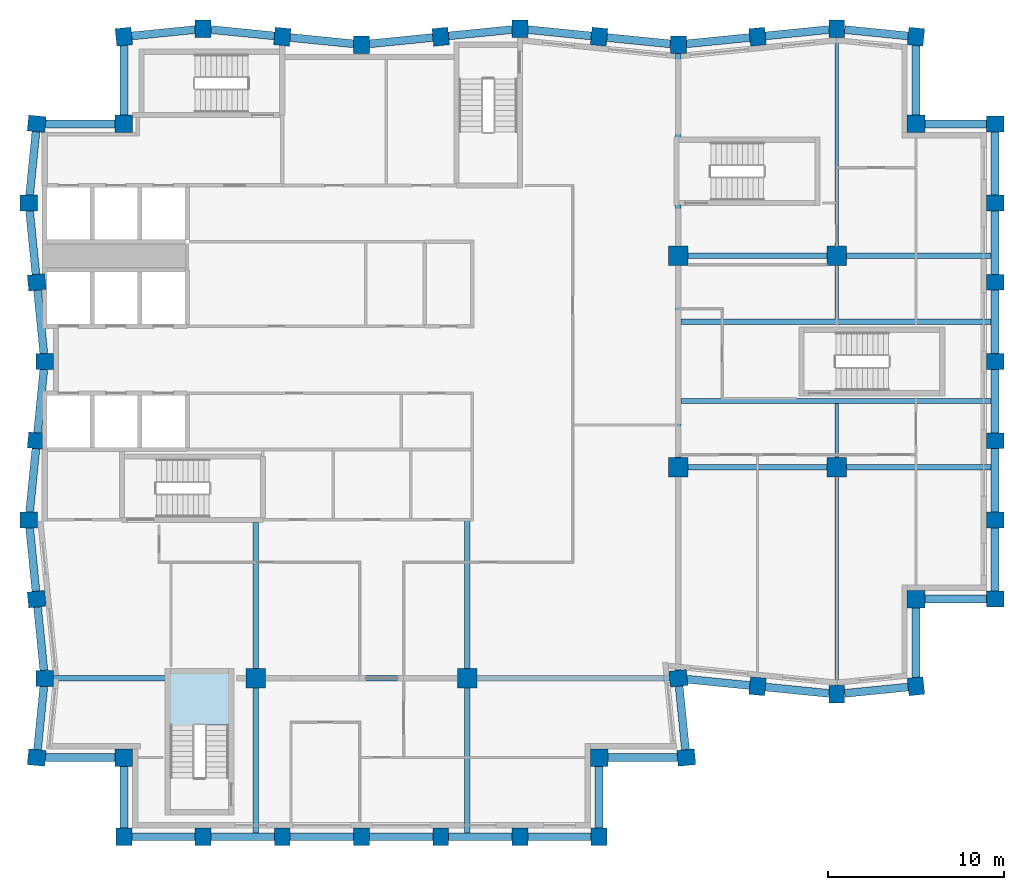
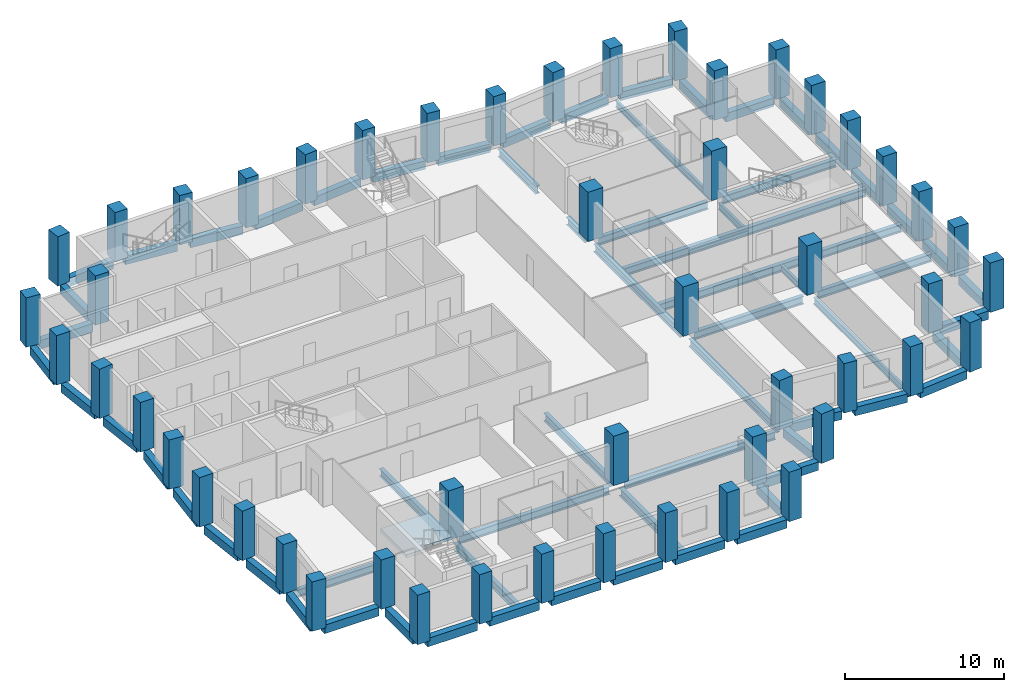
# One storey, part 1 of 8: 65 beams, 50 columns, 1 slab, 1 element without a shape of its own.
"""IFC4 building model written with IfcOpenShell, lengths in metres."""

from ifc_helpers import new_model, si_unit, direction, frame, origin, origin_2d, place, context, subcontext, project, spatial, polyline, rectangle, i_section, outline, extrude, material, layer, layer_set, material_profile, profile_set, type_object, element, aggregate, save


model = new_model("IFC4")

# Units and contexts
model_context = context("Model", 3, precision=1e-05, world=origin(), true_north=direction((0.0, 1.0)))
body_context = subcontext(model_context, "Body", "Model", "MODEL_VIEW")
ifc_project = project(units=[si_unit("LENGTHUNIT", "METRE"), si_unit("AREAUNIT", "SQUARE_METRE"), si_unit("VOLUMEUNIT", "CUBIC_METRE"), si_unit("PLANEANGLEUNIT", "RADIAN"), si_unit("MASSUNIT", "GRAM", prefix="KILO")], contexts=[model_context])

# Site, building, storey
site_placement = place(None, origin())
site = spatial("IfcSite", under=ifc_project, at=site_placement, CompositionType="ELEMENT")
building_placement = place(site_placement, origin())
building = spatial("IfcBuilding", under=site, at=building_placement, Name="Brondeck Convention Tower", CompositionType="ELEMENT")
storey_placement = place(building_placement, frame((0.0, 0.0, 210.199951171875)))
storey = spatial("IfcBuildingStorey", under=building, at=storey_placement, Name="L51", CompositionType="ELEMENT", Elevation=210.199951171875)

# Columns
ifc_material_1 = material(Name="Concrete C50/60", Category="concrete")
ifc_material_profile_1 = material_profile(ifc_material_1, rectangle(XDim=1.0, YDim=1.0, at=origin_2d()), Name="Corner column 1000x1000 Concrete C50/60")
ifc_profile_set_1 = profile_set([ifc_material_profile_1], Name="Concrete C50/60")
column_type_1 = type_object("IfcColumnType", Name="Corner column 1000x1000 Concrete C50/60", PredefinedType="COLUMN", material=ifc_profile_set_1)
for number, where, z_axis, x_axis, name in (
    (1, (4.5, 22.5, 0.0), (0.0, 0.0, 1.0), (1.0, 0.0, 0.0), "STR-COL-L51-NC-SWB18"),
    (2, (31.5, 22.5, 0.0), (0.0, 0.0, 1.0), (1.0, 0.0, 0.0), "STR-COL-L51-NC-SEB18"),
    (3, (49.5, 31.5, 0.0), (0.0, 0.0, 1.0), (1.0, 0.0, 0.0), "STR-COL-L51-NC-SEA54"),
    (4, (49.5, 58.5, 0.0), (0.0, 0.0, 1.0), (1.0, 0.0, 0.0), "STR-COL-L51-NC-NEA54"),
    (5, (4.5, 58.5, 0.0), (0.0, 0.0, 1.0), (1.0, 0.0, 0.0), "STR-COL-L51-NC-NW"),
):
    element("IfcColumn", number, at=place(storey_placement, frame(where, z_axis=z_axis, x_axis=x_axis)), inside=storey, type_object=column_type_1, Name=name, PredefinedType="COLUMN", context=body_context, shape_type="SweptSolid", body=[
        extrude(rectangle(XDim=1.0, YDim=1.0, at=origin_2d()), origin(), (0.0, 0.0, 1.0), 3.800048828125),
    ])
ifc_material_profile_2 = material_profile(ifc_material_1, rectangle(XDim=1.10009765625, YDim=1.10009765625, at=origin_2d()), Name="Interior column 1100x1100 Concrete C50/60")
ifc_profile_set_2 = profile_set([ifc_material_profile_2], Name="Concrete C50/60")
column_type_2 = type_object("IfcColumnType", Name="Interior column 1100x1100 Concrete C50/60", PredefinedType="COLUMN", material=ifc_profile_set_2)
for number, where, z_axis, x_axis, name in (
    (6, (12.0, 27.0, 0.0), (0.0, 0.0, 1.0), (1.0, 0.0, 0.0), "STR-COL-L51-IC-03"),
    (7, (24.0, 27.0, 0.0), (0.0, 0.0, 1.0), (1.0, 0.0, 0.0), "STR-COL-L51-IC-06"),
    (8, (36.0, 39.0, 0.0), (0.0, 0.0, 1.0), (1.0, 0.0, 0.0), "STR-COL-L51-IC-07"),
    (9, (36.0, 51.0, 0.0), (0.0, 0.0, 1.0), (1.0, 0.0, 0.0), "STR-COL-L51-IC-08"),
    (10, (45.0, 39.0, 0.0), (0.0, 0.0, 1.0), (1.0, 0.0, 0.0), "STR-COL-L51-IC-09"),
    (11, (45.0, 51.0, 0.0), (0.0, 0.0, 1.0), (1.0, 0.0, 0.0), "STR-COL-L51-IC-10"),
):
    element("IfcColumn", number, at=place(storey_placement, frame(where, z_axis=z_axis, x_axis=x_axis)), inside=storey, type_object=column_type_2, Name=name, PredefinedType="COLUMN", context=body_context, shape_type="SweptSolid", body=[
        extrude(rectangle(XDim=1.10009765625, YDim=1.10009765625, at=origin_2d()), origin(), (0.0, 0.0, 1.0), 3.800048828125),
    ])
ifc_material_profile_3 = material_profile(ifc_material_1, rectangle(XDim=0.89990234375, YDim=1.0, at=origin_2d()), Name="Perimeter pier 900x1000 Concrete C50/60")
ifc_profile_set_3 = profile_set([ifc_material_profile_3], Name="Concrete C50/60")
column_type_3 = type_object("IfcColumnType", Name="Perimeter pier 900x1000 Concrete C50/60", PredefinedType="COLUMN", material=ifc_profile_set_3)
for number, where, z_axis, x_axis, name in (
    (12, (4.5, 18.0, 0.0), (0.0, 0.0, 1.0), (1.0, 0.0, 0.0), "STR-COL-L51-PC-B-S18-01"),
    (13, (9.0, 18.0, 0.0), (0.0, 0.0, 1.0), (1.0, 0.0, 0.0), "STR-COL-L51-PC-B-S18-02"),
    (14, (13.5, 18.0, 0.0), (0.0, 0.0, 1.0), (1.0, 0.0, 0.0), "STR-COL-L51-PC-B-S18-03"),
    (15, (18.0, 18.0, 0.0), (0.0, 0.0, 1.0), (1.0, 0.0, 0.0), "STR-COL-L51-PC-B-S18-04"),
    (16, (22.5, 18.0, 0.0), (0.0, 0.0, 1.0), (1.0, 0.0, 0.0), "STR-COL-L51-PC-B-S18-05"),
    (17, (27.0, 18.0, 0.0), (0.0, 0.0, 1.0), (1.0, 0.0, 0.0), "STR-COL-L51-PC-B-S18-06"),
    (18, (31.5, 18.0, 0.0), (0.0, 0.0, 1.0), (1.0, 0.0, 0.0), "STR-COL-L51-PC-B-S18-07"),
    (19, (36.449951171875, 22.5, 0.0), (0.0, 0.0, 1.0), (-0.0995038382, 0.995037178292, 0.0), "STR-COL-L51-PC-B-E-01"),
    (20, (36.0, 27.0, 0.0), (0.0, 0.0, 1.0), (-0.0995038382, 0.995037178292, 0.0), "STR-COL-L51-PC-B-E-00"),
    (21, (40.5, 26.550048828125, 0.0), (0.0, 0.0, 1.0), (0.995037178292, -0.0995038382, 0.0), "STR-COL-L51-PC-A-S-01"),
    (22, (45.0, 26.10009765625, 0.0), (0.0, 0.0, 1.0), (1.0, 0.0, 0.0), "STR-COL-L51-PC-A-S-02"),
    (23, (49.5, 26.550048828125, 0.0), (0.0, 0.0, 1.0), (0.995037178292, 0.0995038382, 0.0), "STR-COL-L51-PC-A-S-03"),
    (24, (54.0, 31.5, 0.0), (0.0, 0.0, 1.0), (0.0, 1.0, 0.0), "STR-COL-L51-PC-A-E54-01"),
    (25, (54.0, 36.0, 0.0), (0.0, 0.0, 1.0), (0.0, 1.0, 0.0), "STR-COL-L51-PC-A-E54-02"),
    (26, (54.0, 40.5, 0.0), (0.0, 0.0, 1.0), (0.0, 1.0, 0.0), "STR-COL-L51-PC-A-E54-03"),
    (27, (54.0, 45.0, 0.0), (0.0, 0.0, 1.0), (0.0, 1.0, 0.0), "STR-COL-L51-PC-A-E54-04"),
    (28, (54.0, 49.5, 0.0), (0.0, 0.0, 1.0), (0.0, 1.0, 0.0), "STR-COL-L51-PC-A-E54-05"),
    (29, (54.0, 54.0, 0.0), (0.0, 0.0, 1.0), (0.0, 1.0, 0.0), "STR-COL-L51-PC-A-E54-06"),
    (30, (54.0, 58.5, 0.0), (0.0, 0.0, 1.0), (0.0, 1.0, 0.0), "STR-COL-L51-PC-A-E54-07"),
    (31, (49.5, 63.449951171875, 0.0), (0.0, 0.0, 1.0), (-0.995037178292, 0.0995038382, 0.0), "STR-COL-L51-PC-A-N-11"),
    (32, (45.0, 63.89990234375, 0.0), (0.0, 0.0, 1.0), (-1.0, 0.0, 0.0), "STR-COL-L51-PC-A-N-10"),
    (33, (40.5, 63.449951171875, 0.0), (0.0, 0.0, 1.0), (-0.995037178292, -0.0995038382, 0.0), "STR-COL-L51-PC-A-N-09"),
    (34, (36.0, 63.0, 0.0), (0.0, 0.0, 1.0), (-1.0, 0.0, 0.0), "STR-COL-L51-PC-A-N-08"),
    (35, (31.5, 63.449951171875, 0.0), (0.0, 0.0, 1.0), (-0.995037178292, 0.0995038382, 0.0), "STR-COL-L51-PC-A-N-07"),
    (36, (27.0, 63.89990234375, 0.0), (0.0, 0.0, 1.0), (-1.0, 0.0, 0.0), "STR-COL-L51-PC-A-N-06"),
    (37, (22.5, 63.449951171875, 0.0), (0.0, 0.0, 1.0), (-0.995037178292, -0.0995038382, 0.0), "STR-COL-L51-PC-A-N-05"),
    (38, (18.0, 63.0, 0.0), (0.0, 0.0, 1.0), (-1.0, 0.0, 0.0), "STR-COL-L51-PC-A-N-04"),
    (39, (13.5, 63.449951171875, 0.0), (0.0, 0.0, 1.0), (-0.995037178292, 0.0995038382, 0.0), "STR-COL-L51-PC-A-N-03"),
    (40, (9.0, 63.89990234375, 0.0), (0.0, 0.0, 1.0), (-1.0, 0.0, 0.0), "STR-COL-L51-PC-A-N-02"),
    (41, (4.5, 63.449951171875, 0.0), (0.0, 0.0, 1.0), (-0.995037178292, -0.0995038382, 0.0), "STR-COL-L51-PC-A-N-01"),
    (42, (-0.449951171875, 58.5, 0.0), (0.0, 0.0, 1.0), (-0.0995038382, -0.995037178292, 0.0), "STR-COL-L51-PC-B-W-01"),
    (43, (-0.89990234375, 54.0, 0.0), (0.0, 0.0, 1.0), (0.0, -1.0, 0.0), "STR-COL-L51-PC-B-W-02"),
    (44, (-0.449951171875, 49.5, 0.0), (0.0, 0.0, 1.0), (0.0995038382, -0.995037178292, 0.0), "STR-COL-L51-PC-B-W-03"),
    (45, (0.0, 45.0, 0.0), (0.0, 0.0, 1.0), (0.0, -1.0, 0.0), "STR-COL-L51-PC-B-W-04"),
    (46, (-0.449951171875, 40.5, 0.0), (0.0, 0.0, 1.0), (-0.0995038382, -0.995037178292, 0.0), "STR-COL-L51-PC-B-W-05"),
    (47, (-0.89990234375, 36.0, 0.0), (0.0, 0.0, 1.0), (0.0, -1.0, 0.0), "STR-COL-L51-PC-B-W-06"),
    (48, (-0.449951171875, 31.5, 0.0), (0.0, 0.0, 1.0), (0.0995038382, -0.995037178292, 0.0), "STR-COL-L51-PC-B-W-07"),
    (49, (0.0, 27.0, 0.0), (0.0, 0.0, 1.0), (0.0, -1.0, 0.0), "STR-COL-L51-PC-B-W-08"),
    (50, (-0.449951171875, 22.5, 0.0), (0.0, 0.0, 1.0), (-0.0995038382, -0.995037178292, 0.0), "STR-COL-L51-PC-B-W-09"),
):
    element("IfcColumn", number, at=place(storey_placement, frame(where, z_axis=z_axis, x_axis=x_axis)), inside=storey, type_object=column_type_3, Name=name, PredefinedType="COLUMN", context=body_context, shape_type="SweptSolid", body=[
        extrude(rectangle(XDim=0.89990234375, YDim=1.0, at=origin_2d()), origin(), (0.0, 0.0, 1.0), 3.800048828125),
    ])

# Beams
ifc_material_2 = material(Name="Steel S355", Category="steel")
ifc_material_profile_4 = material_profile(ifc_material_2, i_section(OverallWidth=0.199951171875, OverallDepth=0.5, WebThickness=0.01025390625, FlangeThickness=0.01611328125, FilletRadius=0.02099609375, at=origin_2d()), Name="IPE 500")
ifc_profile_set_4 = profile_set([ifc_material_profile_4], Name="Steel S355")
beam_type_1 = type_object("IfcBeamType", Name="Floor beam IPE 500", PredefinedType="BEAM", material=ifc_profile_set_4)
for number, where, z_axis, x_axis, name in (
    (51, (45.0, 26.60009765625, -0.550048828125), (0.0, 1.0, 0.0), (-1.0, 0.0, 0.0), "STR-FB-L51-001"),
    (52, (45.0, 51.550048828125, -0.550048828125), (0.0, 1.0, 0.0), (-1.0, 0.0, 0.0), "STR-FB-L51-002"),
):
    element("IfcBeam", number, at=place(storey_placement, frame(where, z_axis=z_axis, x_axis=x_axis)), inside=storey, type_object=beam_type_1, Name=name, PredefinedType="BEAM", context=body_context, shape_type="SweptSolid", body=[
        extrude(i_section(OverallWidth=0.199951171875, OverallDepth=0.5, WebThickness=0.01025390625, FlangeThickness=0.01611328125, FilletRadius=0.02099609375, at=origin_2d()), origin(), (0.0, 0.0, 1.0), 11.849853515625),
    ])
for number, where, z_axis, x_axis, name in (
    (53, (45.0, 39.550048828125, -0.550048828125), (0.0, 1.0, 0.0), (-1.0, 0.0, 0.0), "STR-FB-L51-003"),
    (54, (45.0, 47.39990234375, -0.550048828125), (0.0, 1.0, 0.0), (-1.0, 0.0, 0.0), "STR-FB-L51-004"),
):
    element("IfcBeam", number, at=place(storey_placement, frame(where, z_axis=z_axis, x_axis=x_axis)), inside=storey, type_object=beam_type_1, Name=name, PredefinedType="BEAM", context=body_context, shape_type="SweptSolid", body=[
        extrude(i_section(OverallWidth=0.199951171875, OverallDepth=0.5, WebThickness=0.01025390625, FlangeThickness=0.01611328125, FilletRadius=0.02099609375, at=origin_2d()), origin(), (0.0, 0.0, 1.0), 3.050048828125),
    ])
ifc_material_profile_5 = material_profile(ifc_material_2, i_section(OverallWidth=0.300048828125, OverallDepth=0.60009765625, WebThickness=0.015380859375, FlangeThickness=0.030029296875, FilletRadius=0.027099609375, at=origin_2d()), Name="HEB 600")
ifc_profile_set_5 = profile_set([ifc_material_profile_5], Name="Steel S355")
beam_type_2 = type_object("IfcBeamType", Name="Girder HEB 600", PredefinedType="BEAM", material=ifc_profile_set_5)
beam_1_placement = place(storey_placement, frame((36.550048828125, 39.0, -0.599853515625), z_axis=(1.0, 0.0, 0.0), x_axis=(0.0, 1.0, 0.0)))
element("IfcBeam", 55, at=beam_1_placement, inside=storey, type_object=beam_type_2, Name="STR-GR-L51-001", PredefinedType="BEAM", context=body_context, shape_type="SweptSolid", body=[
    extrude(i_section(OverallWidth=0.300048828125, OverallDepth=0.60009765625, WebThickness=0.015380859375, FlangeThickness=0.030029296875, FilletRadius=0.027099609375, at=origin_2d()), origin(), (0.0, 0.0, 1.0), 7.89990234375),
])
beam_2_placement = place(storey_placement, frame((45.550048828125, 39.0, -0.599853515625), z_axis=(1.0, 0.0, 0.0), x_axis=(0.0, 1.0, 0.0)))
element("IfcBeam", 56, at=beam_2_placement, inside=storey, type_object=beam_type_2, Name="STR-GR-L51-002", PredefinedType="BEAM", context=body_context, shape_type="SweptSolid", body=[
    extrude(i_section(OverallWidth=0.300048828125, OverallDepth=0.60009765625, WebThickness=0.015380859375, FlangeThickness=0.030029296875, FilletRadius=0.027099609375, at=origin_2d()), origin(), (0.0, 0.0, 1.0), 8.224853515625),
])
beam_3_placement = place(storey_placement, frame((36.550048828125, 51.0, -0.599853515625), z_axis=(1.0, 0.0, 0.0), x_axis=(0.0, 1.0, 0.0)))
element("IfcBeam", 57, at=beam_3_placement, inside=storey, type_object=beam_type_2, Name="STR-GR-L51-003", PredefinedType="BEAM", context=body_context, shape_type="SweptSolid", body=[
    extrude(i_section(OverallWidth=0.300048828125, OverallDepth=0.60009765625, WebThickness=0.015380859375, FlangeThickness=0.030029296875, FilletRadius=0.027099609375, at=origin_2d()), origin(), (0.0, 0.0, 1.0), 7.89990234375),
])
beam_4_placement = place(storey_placement, frame((45.550048828125, 51.0, -0.599853515625), z_axis=(1.0, 0.0, 0.0), x_axis=(0.0, 1.0, 0.0)))
element("IfcBeam", 58, at=beam_4_placement, inside=storey, type_object=beam_type_2, Name="STR-GR-L51-004", PredefinedType="BEAM", context=body_context, shape_type="SweptSolid", body=[
    extrude(i_section(OverallWidth=0.300048828125, OverallDepth=0.60009765625, WebThickness=0.015380859375, FlangeThickness=0.030029296875, FilletRadius=0.027099609375, at=origin_2d()), origin(), (0.0, 0.0, 1.0), 8.224853515625),
])
beam_5_placement = place(storey_placement, frame((36.0, 27.4521484375, -0.599853515625), z_axis=(0.0, 1.0, 0.0), x_axis=(-1.0, 0.0, 0.0)))
element("IfcBeam", 59, at=beam_5_placement, inside=storey, type_object=beam_type_2, Name="STR-GR-L51-005", PredefinedType="BEAM", context=body_context, shape_type="SweptSolid", body=[
    extrude(i_section(OverallWidth=0.300048828125, OverallDepth=0.60009765625, WebThickness=0.015380859375, FlangeThickness=0.030029296875, FilletRadius=0.027099609375, at=origin_2d()), origin(), (0.0, 0.0, 1.0), 10.997802734375),
])
beam_6_placement = place(storey_placement, frame((36.0, 39.550048828125, -0.599853515625), z_axis=(0.0, 1.0, 0.0), x_axis=(-1.0, 0.0, 0.0)))
element("IfcBeam", 60, at=beam_6_placement, inside=storey, type_object=beam_type_2, Name="STR-GR-L51-006", PredefinedType="BEAM", context=body_context, shape_type="SweptSolid", body=[
    extrude(i_section(OverallWidth=0.300048828125, OverallDepth=0.60009765625, WebThickness=0.015380859375, FlangeThickness=0.030029296875, FilletRadius=0.027099609375, at=origin_2d()), origin(), (0.0, 0.0, 1.0), 10.89990234375),
])
beam_7_placement = place(storey_placement, frame((36.0, 51.550048828125, -0.599853515625), z_axis=(0.0, 1.0, 0.0), x_axis=(-1.0, 0.0, 0.0)))
element("IfcBeam", 61, at=beam_7_placement, inside=storey, type_object=beam_type_2, Name="STR-GR-L51-007", PredefinedType="BEAM", context=body_context, shape_type="SweptSolid", body=[
    extrude(i_section(OverallWidth=0.300048828125, OverallDepth=0.60009765625, WebThickness=0.015380859375, FlangeThickness=0.030029296875, FilletRadius=0.027099609375, at=origin_2d()), origin(), (0.0, 0.0, 1.0), 2.329833984375),
])
beam_8_placement = place(storey_placement, frame((36.0, 57.719970703125, -0.599853515625), z_axis=(0.0, 1.0, 0.0), x_axis=(-1.0, 0.0, 0.0)))
element("IfcBeam", 62, at=beam_8_placement, inside=storey, type_object=beam_type_2, Name="STR-GR-L51-008", PredefinedType="BEAM", context=body_context, shape_type="SweptSolid", body=[
    extrude(i_section(OverallWidth=0.300048828125, OverallDepth=0.60009765625, WebThickness=0.015380859375, FlangeThickness=0.030029296875, FilletRadius=0.027099609375, at=origin_2d()), origin(), (0.0, 0.0, 1.0), 4.780029296875),
])
beam_9_placement = place(storey_placement, frame((12.0, 35.85009765625, -0.599853515625), z_axis=(0.0, -1.0, 0.0), x_axis=(1.0, 0.0, 0.0)))
element("IfcBeam", 63, at=beam_9_placement, inside=storey, type_object=beam_type_2, Name="STR-GR-L51-009", PredefinedType="BEAM", context=body_context, shape_type="SweptSolid", body=[
    extrude(i_section(OverallWidth=0.300048828125, OverallDepth=0.60009765625, WebThickness=0.015380859375, FlangeThickness=0.030029296875, FilletRadius=0.027099609375, at=origin_2d()), origin(), (0.0, 0.0, 1.0), 8.300048828125),
])
beam_10_placement = place(storey_placement, frame((12.0, 26.449951171875, -0.599853515625), z_axis=(0.0, -1.0, 0.0), x_axis=(1.0, 0.0, 0.0)))
element("IfcBeam", 64, at=beam_10_placement, inside=storey, type_object=beam_type_2, Name="STR-GR-L51-010", PredefinedType="BEAM", context=body_context, shape_type="SweptSolid", body=[
    extrude(i_section(OverallWidth=0.300048828125, OverallDepth=0.60009765625, WebThickness=0.015380859375, FlangeThickness=0.030029296875, FilletRadius=0.027099609375, at=origin_2d()), origin(), (0.0, 0.0, 1.0), 8.224853515625),
])
beam_11_placement = place(storey_placement, frame((24.0, 35.955078125, -0.599853515625), z_axis=(0.0, -1.0, 0.0), x_axis=(1.0, 0.0, 0.0)))
element("IfcBeam", 65, at=beam_11_placement, inside=storey, type_object=beam_type_2, Name="STR-GR-L51-011", PredefinedType="BEAM", context=body_context, shape_type="SweptSolid", body=[
    extrude(i_section(OverallWidth=0.300048828125, OverallDepth=0.60009765625, WebThickness=0.015380859375, FlangeThickness=0.030029296875, FilletRadius=0.027099609375, at=origin_2d()), origin(), (0.0, 0.0, 1.0), 8.405029296875),
])
beam_12_placement = place(storey_placement, frame((24.0, 26.449951171875, -0.599853515625), z_axis=(0.0, -1.0, 0.0), x_axis=(1.0, 0.0, 0.0)))
element("IfcBeam", 66, at=beam_12_placement, inside=storey, type_object=beam_type_2, Name="STR-GR-L51-012", PredefinedType="BEAM", context=body_context, shape_type="SweptSolid", body=[
    extrude(i_section(OverallWidth=0.300048828125, OverallDepth=0.60009765625, WebThickness=0.015380859375, FlangeThickness=0.030029296875, FilletRadius=0.027099609375, at=origin_2d()), origin(), (0.0, 0.0, 1.0), 8.224853515625),
])
beam_13_placement = place(storey_placement, frame((0.5, 27.0, -0.599853515625), z_axis=(1.0, 0.0, 0.0), x_axis=(0.0, 1.0, 0.0)))
element("IfcBeam", 67, at=beam_13_placement, inside=storey, type_object=beam_type_2, Name="STR-GR-L51-013", PredefinedType="BEAM", context=body_context, shape_type="SweptSolid", body=[
    extrude(i_section(OverallWidth=0.300048828125, OverallDepth=0.60009765625, WebThickness=0.015380859375, FlangeThickness=0.030029296875, FilletRadius=0.027099609375, at=origin_2d()), origin(), (0.0, 0.0, 1.0), 6.3798828125),
])
beam_14_placement = place(storey_placement, frame((12.550048828125, 27.0, -0.599853515625), z_axis=(1.0, 0.0, 0.0), x_axis=(0.0, 1.0, 0.0)))
element("IfcBeam", 68, at=beam_14_placement, inside=storey, type_object=beam_type_2, Name="STR-GR-L51-014", PredefinedType="BEAM", context=body_context, shape_type="SweptSolid", body=[
    extrude(i_section(OverallWidth=0.300048828125, OverallDepth=0.60009765625, WebThickness=0.015380859375, FlangeThickness=0.030029296875, FilletRadius=0.027099609375, at=origin_2d()), origin(), (0.0, 0.0, 1.0), 10.89990234375),
])
beam_15_placement = place(storey_placement, frame((24.550048828125, 27.0, -0.599853515625), z_axis=(1.0, 0.0, 0.0), x_axis=(0.0, 1.0, 0.0)))
element("IfcBeam", 69, at=beam_15_placement, inside=storey, type_object=beam_type_2, Name="STR-GR-L51-015", PredefinedType="BEAM", context=body_context, shape_type="SweptSolid", body=[
    extrude(i_section(OverallWidth=0.300048828125, OverallDepth=0.60009765625, WebThickness=0.015380859375, FlangeThickness=0.030029296875, FilletRadius=0.027099609375, at=origin_2d()), origin(), (0.0, 0.0, 1.0), 10.947509765625),
])
for number, where, z_axis, x_axis, name in (
    (70, (36.14990234375, 42.75, -0.599853515625), (1.0, 0.0, 0.0), (0.0, 1.0, 0.0), "STR-GR-L51-016"),
    (71, (36.14990234375, 47.25, -0.599853515625), (1.0, 0.0, 0.0), (0.0, 1.0, 0.0), "STR-GR-L51-017"),
):
    element("IfcBeam", number, at=place(storey_placement, frame(where, z_axis=z_axis, x_axis=x_axis)), inside=storey, type_object=beam_type_2, Name=name, PredefinedType="BEAM", context=body_context, shape_type="SweptSolid", body=[
        extrude(i_section(OverallWidth=0.300048828125, OverallDepth=0.60009765625, WebThickness=0.015380859375, FlangeThickness=0.030029296875, FilletRadius=0.027099609375, at=origin_2d()), origin(), (0.0, 0.0, 1.0), 17.625),
    ])
ifc_material_profile_6 = material_profile(ifc_material_1, rectangle(XDim=0.449951171875, YDim=0.64990234375, at=origin_2d()), Name="Precast spandrel 450x650 Concrete C50/60")
ifc_profile_set_6 = profile_set([ifc_material_profile_6], Name="Concrete C50/60")
beam_type_3 = type_object("IfcBeamType", Name="Precast spandrel 450x650 Concrete C50/60", PredefinedType="SPANDREL", material=ifc_profile_set_6)
for number, where, z_axis, x_axis, name in (
    (72, (4.949951171875, 18.0, -0.324951171875), (1.0, 0.0, 0.0), (0.0, 1.0, 0.0), "STR-SP-L51-001"),
    (73, (9.449951171875, 18.0, -0.324951171875), (1.0, 0.0, 0.0), (0.0, 1.0, 0.0), "STR-SP-L51-002"),
    (74, (13.949951171875, 18.0, -0.324951171875), (1.0, 0.0, 0.0), (0.0, 1.0, 0.0), "STR-SP-L51-003"),
    (75, (18.449951171875, 18.0, -0.324951171875), (1.0, 0.0, 0.0), (0.0, 1.0, 0.0), "STR-SP-L51-004"),
    (76, (22.949951171875, 18.0, -0.324951171875), (1.0, 0.0, 0.0), (0.0, 1.0, 0.0), "STR-SP-L51-005"),
    (77, (27.449951171875, 18.0, -0.324951171875), (1.0, 0.0, 0.0), (0.0, 1.0, 0.0), "STR-SP-L51-006"),
):
    element("IfcBeam", number, at=place(storey_placement, frame(where, z_axis=z_axis, x_axis=x_axis)), inside=storey, type_object=beam_type_3, Name=name, PredefinedType="SPANDREL", context=body_context, shape_type="SweptSolid", body=[
        extrude(rectangle(XDim=0.449951171875, YDim=0.64990234375, at=origin_2d()), origin(), (0.0, 0.0, 1.0), 3.60009765625),
    ])
beam_16_placement = place(storey_placement, frame((31.5, 18.5, -0.324951171875), z_axis=(0.0, 1.0, 0.0), x_axis=(-1.0, 0.0, 0.0)))
element("IfcBeam", 78, at=beam_16_placement, inside=storey, type_object=beam_type_3, Name="STR-SP-L51-007", PredefinedType="SPANDREL", context=body_context, shape_type="SweptSolid", body=[
    extrude(rectangle(XDim=0.449951171875, YDim=0.64990234375, at=origin_2d()), origin(), (0.0, 0.0, 1.0), 3.5),
])
beam_17_placement = place(storey_placement, frame((32.0, 22.5, -0.324951171875), z_axis=(1.0, 0.0, 0.0), x_axis=(0.0, 1.0, 0.0)))
element("IfcBeam", 79, at=beam_17_placement, inside=storey, type_object=beam_type_3, Name="STR-SP-L51-008", PredefinedType="SPANDREL", context=body_context, shape_type="SweptSolid", body=[
    extrude(rectangle(XDim=0.449951171875, YDim=0.64990234375, at=origin_2d()), origin(), (0.0, 0.0, 1.0), 3.947509765625),
])
beam_18_placement = place(storey_placement, frame((36.4052734375, 22.94775390625, -0.324951171875), z_axis=(-0.099543756114, 0.995033185687, 0.0), x_axis=(-0.995033185687, -0.099543756114, 0.0)))
element("IfcBeam", 80, at=beam_18_placement, inside=storey, type_object=beam_type_3, Name="STR-SP-L51-009", PredefinedType="SPANDREL", context=body_context, shape_type="SweptSolid", body=[
    extrude(rectangle(XDim=0.449951171875, YDim=0.64990234375, at=origin_2d()), origin(), (0.0, 0.0, 1.0), 3.62255859375),
])
beam_19_placement = place(storey_placement, frame((36.507568359375, 26.94921875, -0.324951171875), z_axis=(0.995036511638, -0.099510504504, 0.0), x_axis=(0.099510504504, 0.995036511638, 0.0)))
element("IfcBeam", 81, at=beam_19_placement, inside=storey, type_object=beam_type_3, Name="STR-SP-L51-010", PredefinedType="SPANDREL", context=body_context, shape_type="SweptSolid", body=[
    extrude(rectangle(XDim=0.449951171875, YDim=0.64990234375, at=origin_2d()), origin(), (0.0, 0.0, 1.0), 3.562255859375),
])
for number, where, z_axis, x_axis, name in (
    (82, (40.94775390625, 26.505126953125, -0.324951171875), (0.995040528141, -0.099470334057, 0.0), (0.099470334057, 0.995040528141, 0.0), "STR-SP-L51-011"),
    (83, (45.449951171875, 26.14501953125, -0.324951171875), (0.995040528141, 0.099470334057, 0.0), (-0.099470334057, 0.995040528141, 0.0), "STR-SP-L51-012"),
):
    element("IfcBeam", number, at=place(storey_placement, frame(where, z_axis=z_axis, x_axis=x_axis)), inside=storey, type_object=beam_type_3, Name=name, PredefinedType="SPANDREL", context=body_context, shape_type="SweptSolid", body=[
        extrude(rectangle(XDim=0.449951171875, YDim=0.64990234375, at=origin_2d()), origin(), (0.0, 0.0, 1.0), 3.620361328125),
    ])
beam_20_placement = place(storey_placement, frame((49.5, 27.052490234375, -0.324951171875), z_axis=(0.0, 1.0, 0.0), x_axis=(-1.0, 0.0, 0.0)))
element("IfcBeam", 84, at=beam_20_placement, inside=storey, type_object=beam_type_3, Name="STR-SP-L51-013", PredefinedType="SPANDREL", context=body_context, shape_type="SweptSolid", body=[
    extrude(rectangle(XDim=0.449951171875, YDim=0.64990234375, at=origin_2d()), origin(), (0.0, 0.0, 1.0), 3.947509765625),
])
beam_21_placement = place(storey_placement, frame((50.0, 31.5, -0.324951171875), z_axis=(1.0, 0.0, 0.0), x_axis=(0.0, 1.0, 0.0)))
element("IfcBeam", 85, at=beam_21_placement, inside=storey, type_object=beam_type_3, Name="STR-SP-L51-014", PredefinedType="SPANDREL", context=body_context, shape_type="SweptSolid", body=[
    extrude(rectangle(XDim=0.449951171875, YDim=0.64990234375, at=origin_2d()), origin(), (0.0, 0.0, 1.0), 3.5),
])
for number, where, z_axis, x_axis, name in (
    (86, (54.0, 31.949951171875, -0.324951171875), (0.0, 1.0, 0.0), (-1.0, 0.0, 0.0), "STR-SP-L51-015"),
    (87, (54.0, 36.449951171875, -0.324951171875), (0.0, 1.0, 0.0), (-1.0, 0.0, 0.0), "STR-SP-L51-016"),
    (88, (54.0, 40.949951171875, -0.324951171875), (0.0, 1.0, 0.0), (-1.0, 0.0, 0.0), "STR-SP-L51-017"),
    (89, (54.0, 45.449951171875, -0.324951171875), (0.0, 1.0, 0.0), (-1.0, 0.0, 0.0), "STR-SP-L51-018"),
    (90, (54.0, 49.949951171875, -0.324951171875), (0.0, 1.0, 0.0), (-1.0, 0.0, 0.0), "STR-SP-L51-019"),
    (91, (54.0, 54.449951171875, -0.324951171875), (0.0, 1.0, 0.0), (-1.0, 0.0, 0.0), "STR-SP-L51-020"),
):
    element("IfcBeam", number, at=place(storey_placement, frame(where, z_axis=z_axis, x_axis=x_axis)), inside=storey, type_object=beam_type_3, Name=name, PredefinedType="SPANDREL", context=body_context, shape_type="SweptSolid", body=[
        extrude(rectangle(XDim=0.449951171875, YDim=0.64990234375, at=origin_2d()), origin(), (0.0, 0.0, 1.0), 3.60009765625),
    ])
beam_22_placement = place(storey_placement, frame((53.5, 58.5, -0.324951171875), z_axis=(-1.0, 0.0, 0.0), x_axis=(0.0, -1.0, 0.0)))
element("IfcBeam", 92, at=beam_22_placement, inside=storey, type_object=beam_type_3, Name="STR-SP-L51-021", PredefinedType="SPANDREL", context=body_context, shape_type="SweptSolid", body=[
    extrude(rectangle(XDim=0.449951171875, YDim=0.64990234375, at=origin_2d()), origin(), (0.0, 0.0, 1.0), 3.5),
])
beam_23_placement = place(storey_placement, frame((49.5, 59.0, -0.324951171875), z_axis=(0.0, 1.0, 0.0), x_axis=(-1.0, 0.0, 0.0)))
element("IfcBeam", 93, at=beam_23_placement, inside=storey, type_object=beam_type_3, Name="STR-SP-L51-022", PredefinedType="SPANDREL", context=body_context, shape_type="SweptSolid", body=[
    extrude(rectangle(XDim=0.449951171875, YDim=0.64990234375, at=origin_2d()), origin(), (0.0, 0.0, 1.0), 3.947509765625),
])
for number, where, z_axis, x_axis, name in (
    (94, (49.05224609375, 63.494873046875, -0.324951171875), (-0.995040528141, 0.099470334057, 0.0), (-0.099470334057, -0.995040528141, 0.0), "STR-SP-L51-023"),
    (95, (44.550048828125, 63.85498046875, -0.324951171875), (-0.995040528141, -0.099470334057, 0.0), (0.099470334057, -0.995040528141, 0.0), "STR-SP-L51-024"),
    (96, (40.05224609375, 63.4052734375, -0.324951171875), (-0.995033851182, -0.099537103649, 0.0), (0.099537103649, -0.995033851182, 0.0), "STR-SP-L51-025"),
    (97, (35.550048828125, 63.044921875, -0.324951171875), (-0.995033851182, 0.099537103649, 0.0), (-0.099537103649, -0.995033851182, 0.0), "STR-SP-L51-026"),
    (98, (31.05224609375, 63.494873046875, -0.324951171875), (-0.995040528141, 0.099470334057, 0.0), (-0.099470334057, -0.995040528141, 0.0), "STR-SP-L51-027"),
    (99, (26.550048828125, 63.85498046875, -0.324951171875), (-0.995040528141, -0.099470334057, 0.0), (0.099470334057, -0.995040528141, 0.0), "STR-SP-L51-028"),
    (100, (22.05224609375, 63.4052734375, -0.324951171875), (-0.995033851182, -0.099537103649, 0.0), (0.099537103649, -0.995033851182, 0.0), "STR-SP-L51-029"),
    (101, (17.550048828125, 63.044921875, -0.324951171875), (-0.995033851182, 0.099537103649, 0.0), (-0.099537103649, -0.995033851182, 0.0), "STR-SP-L51-030"),
    (102, (13.05224609375, 63.494873046875, -0.324951171875), (-0.995040528141, 0.099470334057, 0.0), (-0.099470334057, -0.995040528141, 0.0), "STR-SP-L51-031"),
    (103, (8.550048828125, 63.85498046875, -0.324951171875), (-0.995040528141, -0.099470334057, 0.0), (0.099470334057, -0.995040528141, 0.0), "STR-SP-L51-032"),
):
    element("IfcBeam", number, at=place(storey_placement, frame(where, z_axis=z_axis, x_axis=x_axis)), inside=storey, type_object=beam_type_3, Name=name, PredefinedType="SPANDREL", context=body_context, shape_type="SweptSolid", body=[
        extrude(rectangle(XDim=0.449951171875, YDim=0.64990234375, at=origin_2d()), origin(), (0.0, 0.0, 1.0), 3.620361328125),
    ])
for number, where, z_axis, x_axis, name in (
    (104, (4.5, 62.947509765625, -0.324951171875), (0.0, -1.0, 0.0), (1.0, 0.0, 0.0), "STR-SP-L51-033"),
    (105, (4.0, 58.5, -0.324951171875), (-1.0, 0.0, 0.0), (0.0, -1.0, 0.0), "STR-SP-L51-034"),
):
    element("IfcBeam", number, at=place(storey_placement, frame(where, z_axis=z_axis, x_axis=x_axis)), inside=storey, type_object=beam_type_3, Name=name, PredefinedType="SPANDREL", context=body_context, shape_type="SweptSolid", body=[
        extrude(rectangle(XDim=0.449951171875, YDim=0.64990234375, at=origin_2d()), origin(), (0.0, 0.0, 1.0), 3.947509765625),
    ])
for number, where, z_axis, x_axis, name in (
    (106, (-0.494873046875, 58.05224609375, -0.324951171875), (-0.099470334057, -0.995040528141, 0.0), (0.995040528141, -0.099470334057, 0.0), "STR-SP-L51-035"),
    (107, (-0.85498046875, 53.550048828125, -0.324951171875), (0.099470334057, -0.995040528141, 0.0), (0.995040528141, 0.099470334057, 0.0), "STR-SP-L51-036"),
    (108, (-0.4052734375, 49.05224609375, -0.324951171875), (0.099537103649, -0.995033851182, 0.0), (0.995033851182, 0.099537103649, 0.0), "STR-SP-L51-037"),
    (109, (-0.044921875, 44.550048828125, -0.324951171875), (-0.099537103649, -0.995033851182, 0.0), (0.995033851182, -0.099537103649, 0.0), "STR-SP-L51-038"),
    (110, (-0.494873046875, 40.05224609375, -0.324951171875), (-0.099470334057, -0.995040528141, 0.0), (0.995040528141, -0.099470334057, 0.0), "STR-SP-L51-039"),
    (111, (-0.85498046875, 35.550048828125, -0.324951171875), (0.099470334057, -0.995040528141, 0.0), (0.995040528141, 0.099470334057, 0.0), "STR-SP-L51-040"),
    (112, (-0.4052734375, 31.05224609375, -0.324951171875), (0.099537103649, -0.995033851182, 0.0), (0.995033851182, 0.099537103649, 0.0), "STR-SP-L51-041"),
    (113, (-0.044921875, 26.550048828125, -0.324951171875), (-0.099537103649, -0.995033851182, 0.0), (0.995033851182, -0.099537103649, 0.0), "STR-SP-L51-042"),
):
    element("IfcBeam", number, at=place(storey_placement, frame(where, z_axis=z_axis, x_axis=x_axis)), inside=storey, type_object=beam_type_3, Name=name, PredefinedType="SPANDREL", context=body_context, shape_type="SweptSolid", body=[
        extrude(rectangle(XDim=0.449951171875, YDim=0.64990234375, at=origin_2d()), origin(), (0.0, 0.0, 1.0), 3.620361328125),
    ])
beam_24_placement = place(storey_placement, frame((0.052490234375, 22.5, -0.324951171875), z_axis=(1.0, 0.0, 0.0), x_axis=(0.0, 1.0, 0.0)))
element("IfcBeam", 114, at=beam_24_placement, inside=storey, type_object=beam_type_3, Name="STR-SP-L51-043", PredefinedType="SPANDREL", context=body_context, shape_type="SweptSolid", body=[
    extrude(rectangle(XDim=0.449951171875, YDim=0.64990234375, at=origin_2d()), origin(), (0.0, 0.0, 1.0), 3.947509765625),
])
beam_25_placement = place(storey_placement, frame((4.5, 22.0, -0.324951171875), z_axis=(0.0, -1.0, 0.0), x_axis=(1.0, 0.0, 0.0)))
element("IfcBeam", 115, at=beam_25_placement, inside=storey, type_object=beam_type_3, Name="STR-SP-L51-044", PredefinedType="SPANDREL", context=body_context, shape_type="SweptSolid", body=[
    extrude(rectangle(XDim=0.449951171875, YDim=0.64990234375, at=origin_2d()), origin(), (0.0, 0.0, 1.0), 3.5),
])

# Stair, slab
ifc_material_3 = material(Name="Precast concrete C50/60", Category="concrete")
stair_type = type_object("IfcStairType", Name="Core stair 22 risers 172.73 mm riser 300 mm going 1350 wide", PredefinedType="HALF_TURN_STAIR", material=ifc_material_3)
stair_placement = place(storey_placement, origin())
stair = element("IfcStair", 116, at=stair_placement, inside=storey, type_object=stair_type, Name="ST-BE L51 stair", PredefinedType="HALF_TURN_STAIR")
ifc_layer = layer(ifc_material_3, 0.25)
ifc_layer_set = layer_set([ifc_layer], Name="Core stair landing 250 Precast concrete C50/60")
slab_type = type_object("IfcSlabType", Name="Core stair landing 250 Precast concrete C50/60", PredefinedType="LANDING", material=ifc_layer_set)
slab_placement = place(storey_placement, frame((0.0, 0.0, 1.650146484375)))
slab = element("IfcSlab", 117, at=slab_placement, type_object=slab_type, Name="ST-BE landing 1", PredefinedType="LANDING", context=body_context, shape_type="SweptSolid", body=[
    extrude(outline(polyline([(7.030029296875, 24.050048828125), (7.030029296875, 27.3701171875), (10.570068359375, 27.3701171875), (10.570068359375, 24.347900390625), (9.10009765625, 24.347900390625), (9.10009765625, 24.35009765625), (8.5, 24.35009765625), (8.5, 24.050048828125), (7.030029296875, 24.050048828125)])), origin(), (0.0, 0.0, 1.0), 0.25),
])
aggregate(stair, [slab])

save(model, "model.ifc")
